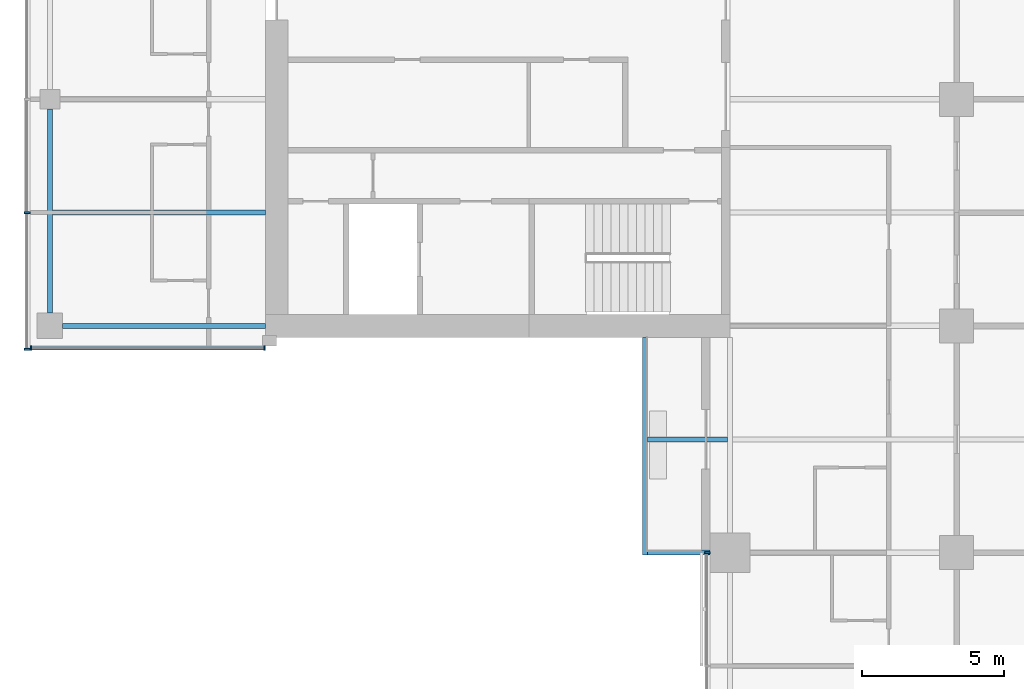
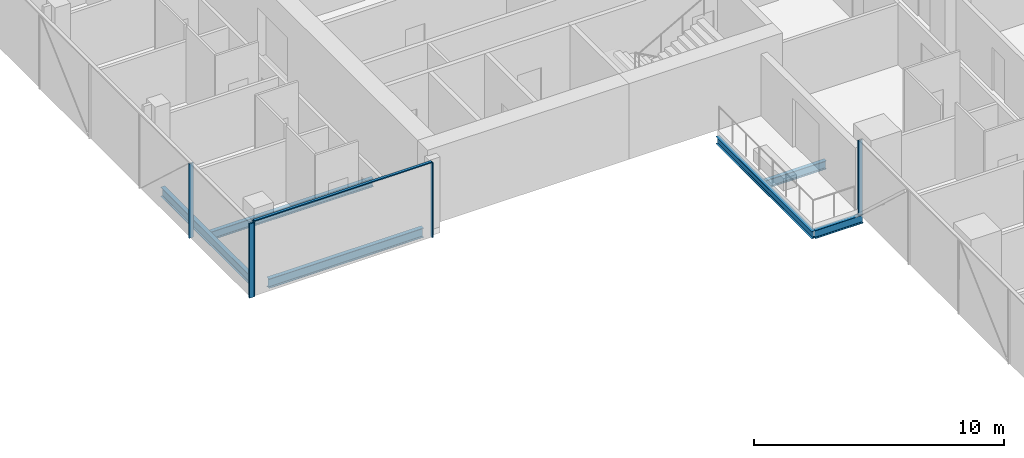
# One storey, part 3 of 29: 6 beams, 6 members, 3 elements without a shape of their own.
"""IFC4 building model written with IfcOpenShell, lengths in metres."""

from ifc_helpers import new_model, si_unit, direction, frame, origin, origin_2d, place, context, subcontext, project, spatial, rectangle, i_section, extrude, material, material_profile, profile_set, type_object, element, aggregate, save


model = new_model("IFC4")

# Units and contexts
model_context = context("Model", 3, precision=1e-05, world=origin(), true_north=direction((0.0, 1.0)))
body_context = subcontext(model_context, "Body", "Model", "MODEL_VIEW")
ifc_project = project(units=[si_unit("LENGTHUNIT", "METRE"), si_unit("AREAUNIT", "SQUARE_METRE"), si_unit("VOLUMEUNIT", "CUBIC_METRE"), si_unit("PLANEANGLEUNIT", "RADIAN"), si_unit("MASSUNIT", "GRAM", prefix="KILO")], contexts=[model_context])

# Site, building, storey
site_placement = place(None, origin())
site = spatial("IfcSite", under=ifc_project, at=site_placement, CompositionType="ELEMENT")
building_placement = place(site_placement, origin())
building = spatial("IfcBuilding", under=site, at=building_placement, Name="Crosswind Convention Tower", CompositionType="ELEMENT")
storey_placement = place(building_placement, frame((0.0, 0.0, 53.5)))
storey = spatial("IfcBuildingStorey", under=building, at=storey_placement, Name="L07", CompositionType="ELEMENT", Elevation=53.5)

# Beams
ifc_material_1 = material(Name="Steel S355", Category="steel")
ifc_material_profile_1 = material_profile(ifc_material_1, i_section(OverallWidth=0.177734375, OverallDepth=0.406494140625, WebThickness=0.0078125, FlangeThickness=0.0126953125, FilletRadius=0.01025390625, at=origin_2d()), Name="UB 406x178x60")
ifc_profile_set_1 = profile_set([ifc_material_profile_1], Name="Steel S355")
beam_type_1 = type_object("IfcBeamType", Name="Balcony cantilever UB 406x178x60", PredefinedType="BEAM", material=ifc_profile_set_1)
beam_1_placement = place(storey_placement, frame((112.90478515625, 84.0, -0.483154296875), z_axis=(-1.0, 0.0, 0.0), x_axis=(0.0, -1.0, 0.0)))
element("IfcBeam", 1, at=beam_1_placement, inside=storey, type_object=beam_type_1, Name="B35 L07 balcony cantilever SW 7", PredefinedType="BEAM", context=body_context, shape_type="SweptSolid", body=[
    extrude(i_section(OverallWidth=0.177734375, OverallDepth=0.406494140625, WebThickness=0.0078125, FlangeThickness=0.0126953125, FilletRadius=0.01025390625, at=origin_2d()), origin(), (0.0, 0.0, 1.0), 2.8193359375),
])
beam_2_placement = place(storey_placement, frame((112.300048828125, 80.0, -0.483154296875), z_axis=(-1.0, 0.0, 0.0), x_axis=(0.0, -1.0, 0.0)))
element("IfcBeam", 2, at=beam_2_placement, inside=storey, type_object=beam_type_1, Name="B35 L07 balcony cantilever SW 8", PredefinedType="BEAM", context=body_context, shape_type="SweptSolid", body=[
    extrude(i_section(OverallWidth=0.177734375, OverallDepth=0.406494140625, WebThickness=0.0078125, FlangeThickness=0.0126953125, FilletRadius=0.01025390625, at=origin_2d()), origin(), (0.0, 0.0, 1.0), 2.214599609375),
])
ifc_material_profile_2 = material_profile(ifc_material_1, i_section(OverallWidth=0.1708984375, OverallDepth=0.35205078125, WebThickness=0.0068359375, FlangeThickness=0.009765625, FilletRadius=0.01025390625, at=origin_2d()), Name="UB 356x171x45")
ifc_profile_set_2 = profile_set([ifc_material_profile_2], Name="Steel S355")
beam_type_2 = type_object("IfcBeamType", Name="Balcony edge beam UB 356x171x45", PredefinedType="BEAM", material=ifc_profile_set_2)
beam_3_placement = place(storey_placement, frame((110.0, 87.60009765625, -0.4560546875), z_axis=(0.0, -1.0, 0.0), x_axis=(1.0, 0.0, 0.0)))
element("IfcBeam", 3, at=beam_3_placement, inside=storey, type_object=beam_type_2, Name="B37 L07 balcony edge beam SW 9", PredefinedType="BEAM", context=body_context, shape_type="SweptSolid", body=[
    extrude(i_section(OverallWidth=0.1708984375, OverallDepth=0.35205078125, WebThickness=0.0068359375, FlangeThickness=0.009765625, FilletRadius=0.01025390625, at=origin_2d()), origin(), (0.0, 0.0, 1.0), 7.68896484375),
])
ifc_material_profile_3 = material_profile(ifc_material_1, i_section(OverallWidth=0.1904296875, OverallDepth=0.457275390625, WebThickness=0.009033203125, FlangeThickness=0.014404296875, FilletRadius=0.01025390625, at=origin_2d()), Name="UB 457x191x75")
ifc_profile_set_3 = profile_set([ifc_material_profile_3], Name="Steel S355")
beam_type_3 = type_object("IfcBeamType", Name="Edge beam UB 457x191x75", PredefinedType="SPANDREL", material=ifc_profile_set_3)
beam_4_placement = place(storey_placement, frame((89.0, 88.449951171875, -0.508544921875), z_axis=(0.0, 1.0, 0.0), x_axis=(-1.0, 0.0, 0.0)))
element("IfcBeam", 4, at=beam_4_placement, inside=storey, type_object=beam_type_3, Name="B17 L07 edge beam 1", PredefinedType="SPANDREL", context=body_context, shape_type="SweptSolid", body=[
    extrude(i_section(OverallWidth=0.1904296875, OverallDepth=0.457275390625, WebThickness=0.009033203125, FlangeThickness=0.014404296875, FilletRadius=0.01025390625, at=origin_2d()), origin(), (0.0, 0.0, 1.0), 7.199951171875),
])
beam_5_placement = place(storey_placement, frame((89.449951171875, 88.0, -0.508544921875), z_axis=(1.0, 0.0, 0.0), x_axis=(0.0, 1.0, 0.0)))
element("IfcBeam", 5, at=beam_5_placement, inside=storey, type_object=beam_type_3, Name="B17 L07 edge beam 4", PredefinedType="SPANDREL", context=body_context, shape_type="SweptSolid", body=[
    extrude(i_section(OverallWidth=0.1904296875, OverallDepth=0.457275390625, WebThickness=0.009033203125, FlangeThickness=0.014404296875, FilletRadius=0.01025390625, at=origin_2d()), origin(), (0.0, 0.0, 1.0), 7.150146484375),
])

# Curtain wall, members
ifc_material_2 = material(Name="Aluminium unitised curtain wall", Category="aluminium")
curtain_wall_type_1 = type_object("IfcCurtainWallType", Name="CORE END SLOT WALL 160", PredefinedType="USERDEFINED", material=ifc_material_2)
curtain_wall_1_placement = place(storey_placement, origin())
curtain_wall_1 = element("IfcCurtainWall", 6, at=curtain_wall_1_placement, inside=storey, type_object=curtain_wall_type_1, Name="CW6 L07 W-S.1-1 slot", ObjectType="UNITISED", PredefinedType="USERDEFINED")
ifc_material_3 = material(Name="Aluminium mullion", Category="aluminium")
ifc_material_profile_4 = material_profile(ifc_material_3, rectangle(XDim=0.159912109375, YDim=0.050048828125, at=origin_2d()), Name="AL 160X50")
ifc_profile_set_4 = profile_set([ifc_material_profile_4], Name="Aluminium mullion")
member_type_1 = type_object("IfcMemberType", Name="MULLION 50X160", PredefinedType="MULLION", material=ifc_profile_set_4)
member_1_placement = place(storey_placement, frame((88.324951171875, 87.219970703125, -0.280029296875), z_axis=(0.0, 0.0, 1.0), x_axis=(0.0, -1.0, 0.0)))
member_1 = element("IfcMember", 7, at=member_1_placement, type_object=member_type_1, Name="CW6 mullion 1", PredefinedType="MULLION", context=body_context, shape_type="SweptSolid", body=[
    extrude(rectangle(XDim=0.159912109375, YDim=0.050048828125, at=origin_2d()), origin(), (0.0, 0.0, 1.0), 3.650146484375),
])
member_2_placement = place(storey_placement, frame((96.574951171875, 87.219970703125, -0.280029296875), z_axis=(0.0, 0.0, 1.0), x_axis=(0.0, -1.0, 0.0)))
member_2 = element("IfcMember", 8, at=member_2_placement, type_object=member_type_1, Name="CW6 mullion 2", PredefinedType="MULLION", context=body_context, shape_type="SweptSolid", body=[
    extrude(rectangle(XDim=0.159912109375, YDim=0.050048828125, at=origin_2d()), origin(), (0.0, 0.0, 1.0), 3.650146484375),
])

curtain_wall_type_2 = type_object("IfcCurtainWallType", Name="HOTEL UNITISED WALL 200", PredefinedType="USERDEFINED", material=ifc_material_2)
curtain_wall_2_placement = place(storey_placement, origin())
curtain_wall_2 = element("IfcCurtainWall", 9, at=curtain_wall_2_placement, inside=storey, type_object=curtain_wall_type_2, Name="CW2 L07 W-TIP 1", ObjectType="UNITISED", PredefinedType="USERDEFINED")
ifc_material_profile_5 = material_profile(ifc_material_3, rectangle(XDim=0.199951171875, YDim=0.06494140625, at=origin_2d()), Name="AL 200X65")
ifc_profile_set_5 = profile_set([ifc_material_profile_5], Name="Aluminium mullion")
member_type_2 = type_object("IfcMemberType", Name="MULLION 65X200", PredefinedType="MULLION", material=ifc_profile_set_5)
member_3_placement = place(storey_placement, frame((88.199951171875, 92.0, -0.280029296875), z_axis=(0.0, 0.0, 1.0), x_axis=(-1.0, 0.0, 0.0)))
member_3 = element("IfcMember", 10, at=member_3_placement, type_object=member_type_2, Name="CW2 mullion 6", PredefinedType="MULLION", context=body_context, shape_type="SweptSolid", body=[
    extrude(rectangle(XDim=0.199951171875, YDim=0.06494140625, at=origin_2d()), origin(), (0.0, 0.0, 1.0), 3.635009765625),
])
member_4_placement = place(storey_placement, frame((88.199951171875, 87.172607421875, -0.280029296875), z_axis=(0.0, 0.0, 1.0), x_axis=(-1.0, 0.0, 0.0)))
member_4 = element("IfcMember", 11, at=member_4_placement, type_object=member_type_2, Name="CW2 mullion 7", PredefinedType="MULLION", context=body_context, shape_type="SweptSolid", body=[
    extrude(rectangle(XDim=0.199951171875, YDim=0.06494140625, at=origin_2d()), origin(), (0.0, 0.0, 1.0), 3.635009765625),
])
aggregate(curtain_wall_2, [member_3, member_4])

# Curtain wall, member
curtain_wall_3_placement = place(storey_placement, origin())
curtain_wall_3 = element("IfcCurtainWall", 12, at=curtain_wall_3_placement, inside=storey, type_object=curtain_wall_type_2, Name="CW2 L07 S-W 1", ObjectType="UNITISED", PredefinedType="USERDEFINED")
member_5_placement = place(storey_placement, frame((112.199951171875, 80.0, -0.280029296875), z_axis=(0.0, 0.0, 1.0), x_axis=(-1.0, 0.0, 0.0)))
member_5 = element("IfcMember", 13, at=member_5_placement, type_object=member_type_2, Name="CW2 mullion 1", PredefinedType="MULLION", context=body_context, shape_type="SweptSolid", body=[
    extrude(rectangle(XDim=0.199951171875, YDim=0.06494140625, at=origin_2d()), origin(), (0.0, 0.0, 1.0), 3.635009765625),
])
aggregate(curtain_wall_3, [member_5])

# Beam
ifc_material_profile_6 = material_profile(ifc_material_1, i_section(OverallWidth=0.177734375, OverallDepth=0.406494140625, WebThickness=0.0078125, FlangeThickness=0.0126953125, FilletRadius=0.01025390625, at=origin_2d()), Name="UB 406x178x60")
ifc_profile_set_6 = profile_set([ifc_material_profile_6], Name="Steel S355")
beam_type_4 = type_object("IfcBeamType", Name="Secondary beam UB 406x178x60", PredefinedType="JOIST", material=ifc_profile_set_6)
beam_6_placement = place(storey_placement, frame((89.09521484375, 92.0, -0.483154296875), z_axis=(1.0, 0.0, 0.0), x_axis=(0.0, 1.0, 0.0)))
element("IfcBeam", 14, at=beam_6_placement, inside=storey, type_object=beam_type_4, Name="B10 L07 secondary beam 1", PredefinedType="JOIST", context=body_context, shape_type="SweptSolid", body=[
    extrude(i_section(OverallWidth=0.177734375, OverallDepth=0.406494140625, WebThickness=0.0078125, FlangeThickness=0.0126953125, FilletRadius=0.01025390625, at=origin_2d()), origin(), (0.0, 0.0, 1.0), 7.5048828125),
])

# Member
ifc_material_4 = material(Name="Aluminium transom", Category="aluminium")
ifc_material_profile_7 = material_profile(ifc_material_4, rectangle(XDim=0.1201171875, YDim=0.050048828125, at=origin_2d()), Name="AL 120X50")
ifc_profile_set_7 = profile_set([ifc_material_profile_7], Name="Aluminium transom")
member_type_3 = type_object("IfcMemberType", Name="TRANSOM 50X120", PredefinedType="USERDEFINED", material=ifc_profile_set_7)
member_6_placement = place(storey_placement, frame((88.35009765625, 87.219970703125, 3.39501953125), z_axis=(1.0, 0.0, 0.0), x_axis=(0.0, 1.0, 0.0)))
member_6 = element("IfcMember", 15, at=member_6_placement, type_object=member_type_3, Name="CW6 transom", ObjectType="TRANSOM", PredefinedType="USERDEFINED", context=body_context, shape_type="SweptSolid", body=[
    extrude(rectangle(XDim=0.1201171875, YDim=0.050048828125, at=origin_2d()), origin(), (0.0, 0.0, 1.0), 8.199951171875),
])

aggregate(curtain_wall_1, [member_1, member_2, member_6])

save(model, "model.ifc")
